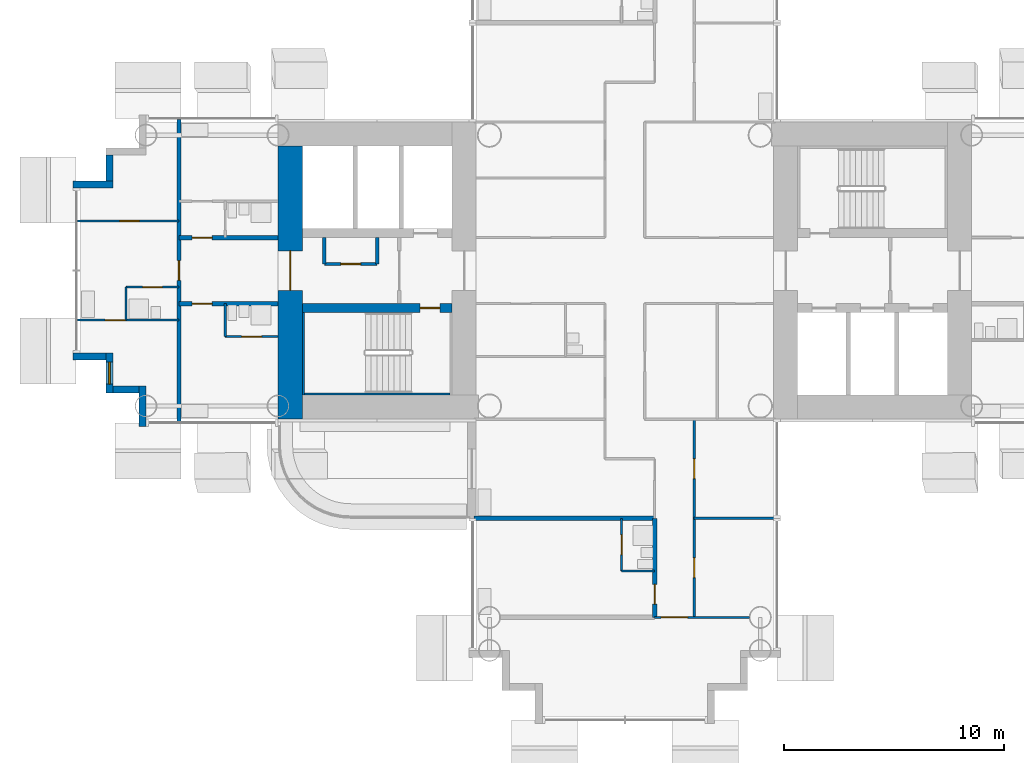
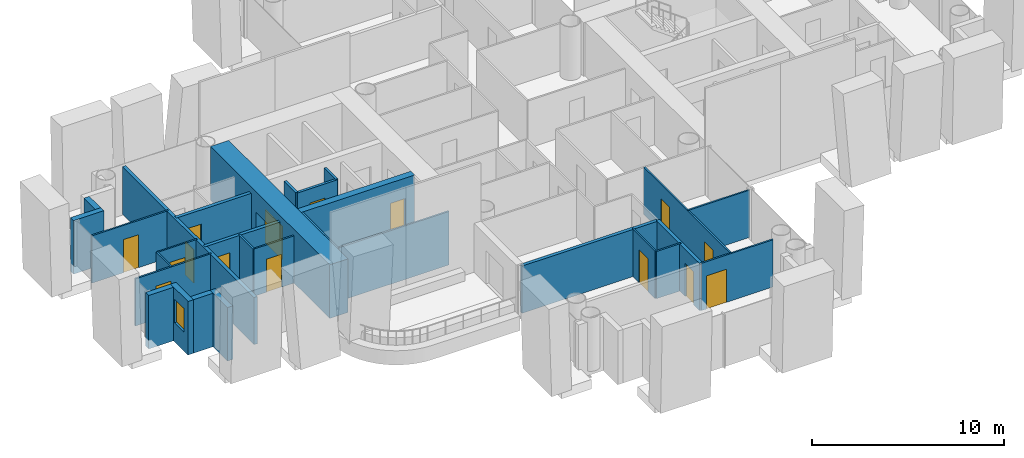
# One storey, part 10 of 25: 29 walls, 15 doors, 1 window, 16 openings.
"""IFC4 building model written with IfcOpenShell, lengths in metres."""

import ifcopenshell
import ifcopenshell.guid

model = None  # the IFC model being written
_history = None  # IfcOwnerHistory: only IFC2X3 demands one
_inside = {}  # id of a spatial element -> (the spatial element, [elements in it])
_under = {}  # id of a project, library or spatial element -> (it, [spatial elements below it])
_declared = {}  # id of a project -> (the project, [libraries it declares])
_typed = {}  # id of a type object -> (the type object, [elements of that type])
_made_of = {}  # id of a material, layer set ... -> (it, [elements and type objects made of it])


def new_model(schema):
    """Start an empty IFC model of exactly this schema.

    Asked for "IFC4X3", IfcOpenShell would pick the latest addendum, in which some entities
    have other attributes; the version numbers below select the first issue.
    IFC2X3 requires an IfcOwnerHistory on every rooted entity: one is made here for all.
    """
    global model, _history
    if schema == "IFC4X3":
        model = ifcopenshell.file(schema_version=(4, 3, 0, 0))
    else:
        model = ifcopenshell.file(schema=schema)
    _inside.clear()
    _under.clear()
    _declared.clear()
    _typed.clear()
    _made_of.clear()
    _history = None
    if model.schema == "IFC2X3":
        org = make("IfcOrganization", Name="unknown")
        user = make(
            "IfcPersonAndOrganization",
            ThePerson=make("IfcPerson", FamilyName="unknown"),
            TheOrganization=org,
        )
        app = make(
            "IfcApplication",
            ApplicationDeveloper=org,
            Version="unknown",
            ApplicationFullName="unknown",
            ApplicationIdentifier="unknown",
        )
        _history = make(
            "IfcOwnerHistory",
            OwningUser=user,
            OwningApplication=app,
            ChangeAction="ADDED",
            CreationDate=0,
        )
    return model


def make(cls, **values):
    """One entity of the class cls with the attributes given. An attribute that is None is left unset."""
    return model.create_entity(
        cls, **{name: value for name, value in values.items() if value is not None}
    )


def rooted(cls, **values):
    """An entity with a GlobalId (a new one), such as an element, a storey or a relation."""
    return make(cls, GlobalId=ifcopenshell.guid.new(), OwnerHistory=_history, **values)


def si_unit(unit_type, name, prefix=None):
    """IfcSIUnit, for example si_unit("LENGTHUNIT", "METRE", prefix="MILLI")."""
    return make("IfcSIUnit", UnitType=unit_type, Prefix=prefix, Name=name)


def assignment(units):
    """IfcUnitAssignment: the units of a project."""
    return None if units is None else make("IfcUnitAssignment", Units=units)


def point(xyz):
    """IfcCartesianPoint."""
    return None if xyz is None else make("IfcCartesianPoint", Coordinates=xyz)


def direction(xyz):
    """IfcDirection."""
    return None if xyz is None else make("IfcDirection", DirectionRatios=xyz)


def frame(location, z_axis=None, x_axis=None):
    """IfcAxis2Placement3D, a coordinate frame: its origin and axes. An axis left out is left unset."""
    return make(
        "IfcAxis2Placement3D",
        Location=point(location),
        Axis=direction(z_axis),
        RefDirection=direction(x_axis),
    )


def frame_2d(location, x_axis=None):
    """IfcAxis2Placement2D, a coordinate frame in the plane: its origin and x axis."""
    return make(
        "IfcAxis2Placement2D", Location=point(location), RefDirection=direction(x_axis)
    )


def origin():
    """The frame at (0, 0, 0) with its axes left unset."""
    return frame((0.0, 0.0, 0.0))


def place(relative_to, where):
    """IfcLocalPlacement: puts the frame where relative to a parent placement (None: the world)."""
    return make(
        "IfcLocalPlacement", PlacementRelTo=relative_to, RelativePlacement=where
    )


def context(
    kind, dimensions, precision=None, world=None, true_north=None, identifier=None
):
    """IfcGeometricRepresentationContext, for example the 3D "Model" context."""
    return make(
        "IfcGeometricRepresentationContext",
        ContextIdentifier=identifier,
        ContextType=kind,
        CoordinateSpaceDimension=dimensions,
        Precision=precision,
        WorldCoordinateSystem=world,
        TrueNorth=true_north,
    )


def subcontext(parent, identifier, kind, view, scale=None):
    """IfcGeometricRepresentationSubContext, for example "Body" below "Model"."""
    return make(
        "IfcGeometricRepresentationSubContext",
        ContextIdentifier=identifier,
        ContextType=kind,
        ParentContext=parent,
        TargetScale=scale,
        TargetView=view,
    )


def project(units=None, contexts=None):
    """IfcProject with its units and contexts."""
    return rooted(
        "IfcProject",
        Name="project",
        RepresentationContexts=contexts,
        UnitsInContext=assignment(units),
    )


def spatial(cls, under=None, at=None, **own):
    """A site, building, storey or space (cls), placed at a placement, below another one or the project."""
    s = rooted(cls, ObjectPlacement=at, **own)
    if under is not None:
        _under.setdefault(under.id(), (under, []))[1].append(s)
    return s


def profile(cls, at=None, kind="AREA", **sizes):
    """A parametric profile (cls). Its sizes go by their IFC names, for example OverallWidth=200.0."""
    return make(cls, ProfileType=kind, Position=at, **sizes)


def rectangle(**sizes):
    """IfcRectangleProfileDef."""
    return profile("IfcRectangleProfileDef", **sizes)


def extrude(swept, where, along, depth):
    """IfcExtrudedAreaSolid: the profile swept, set in the frame where, extruded along a direction by depth."""
    return make(
        "IfcExtrudedAreaSolid",
        SweptArea=swept,
        Position=where,
        ExtrudedDirection=direction(along),
        Depth=depth,
    )


def shape(context_of_items, identifier, shape_type, items):
    """IfcShapeRepresentation: the items that make up one representation, for example the "Body"."""
    return make(
        "IfcShapeRepresentation",
        ContextOfItems=context_of_items,
        RepresentationIdentifier=identifier,
        RepresentationType=shape_type,
        Items=items,
    )


def material(Name=None, Category=None):
    """IfcMaterial."""
    return make("IfcMaterial", Name=Name, Category=Category)


def layer(
    of_material, thickness, ventilated=None, Name=None, Category=None, Priority=None
):
    """IfcMaterialLayer: one layer of a wall or slab, of a material (None: an air gap)."""
    return make(
        "IfcMaterialLayer",
        Material=of_material,
        LayerThickness=thickness,
        IsVentilated=ventilated,
        Name=Name,
        Category=Category,
        Priority=Priority,
    )


def layer_set(layers, Name=None):
    """IfcMaterialLayerSet."""
    return make("IfcMaterialLayerSet", MaterialLayers=layers, LayerSetName=Name)


def made_of(thing, what):
    """Note that an element or type object is made of a material, layer set ...; save() writes the relation."""
    if what is not None:
        _made_of.setdefault(what.id(), (what, []))[1].append(thing)
    return thing


def type_object(cls, material=None, **own):
    """A type object (cls), such as IfcWallType, which elements share."""
    return made_of(rooted(cls, **own), material)


def element(
    cls,
    number,
    at=None,
    inside=None,
    cuts=None,
    type_object=None,
    material=None,
    context=None,
    identifier="Body",
    shape_type=None,
    held_by="IfcProductDefinitionShape",
    body=None,
    shapes=None,
    **own,
):
    """One element of the class cls, such as IfcWall. Its Tag is "e" and its number.

    at: its placement. inside: the storey or other place that contains it. cuts: it is an
    opening in that element (IfcRelVoidsElement). A single representation is given by context,
    identifier, shape_type and body (its items); several are given by shapes. held_by: the class
    of the entity that holds the representations. save() writes the other relations.
    """
    e = rooted(cls, Tag="e%d" % number, ObjectPlacement=at, **own)
    if body is not None:
        shapes = [shape(context, identifier, shape_type, body)]
    if shapes is not None:
        e.Representation = make(held_by, Representations=shapes)
    if inside is not None:
        _inside.setdefault(inside.id(), (inside, []))[1].append(e)
    if cuts is not None:
        rooted(
            "IfcRelVoidsElement", RelatingBuildingElement=cuts, RelatedOpeningElement=e
        )
    if type_object is not None:
        _typed.setdefault(type_object.id(), (type_object, []))[1].append(e)
    return made_of(e, material)


def fill(opening, filler):
    """IfcRelFillsElement: the door or window that sits in an opening."""
    return rooted(
        "IfcRelFillsElement",
        RelatingOpeningElement=opening,
        RelatedBuildingElement=filler,
    )


def aggregate(whole, parts):
    """IfcRelAggregates: a whole, such as a stair, and the parts it consists of."""
    return rooted("IfcRelAggregates", RelatingObject=whole, RelatedObjects=parts)


def save(model, path):
    """Write the relations noted so far, then the file.

    IfcRelAggregates (storeys below a building ...), IfcRelContainedInSpatialStructure (elements
    in a storey), IfcRelDefinesByType, IfcRelAssociatesMaterial and IfcRelDeclares: one each for
    every whole, place, type object, material and project.
    """
    for whole, parts in _under.values():
        aggregate(whole, parts)
    for where, things in _inside.values():
        rooted(
            "IfcRelContainedInSpatialStructure",
            RelatedElements=things,
            RelatingStructure=where,
        )
    for kind, things in _typed.values():
        rooted("IfcRelDefinesByType", RelatedObjects=things, RelatingType=kind)
    for what, things in _made_of.values():
        rooted("IfcRelAssociatesMaterial", RelatedObjects=things, RelatingMaterial=what)
    for by, libraries in _declared.values():
        rooted("IfcRelDeclares", RelatingContext=by, RelatedDefinitions=libraries)
    model.write(path)


model = new_model("IFC4")

# Units and contexts
model_context = context("Model", 3, precision=1e-05, world=origin(), true_north=direction((0.0, 1.0)))
body_context = subcontext(model_context, "Body", "Model", "MODEL_VIEW")
ifc_project = project(units=[si_unit("LENGTHUNIT", "METRE"), si_unit("AREAUNIT", "SQUARE_METRE"), si_unit("VOLUMEUNIT", "CUBIC_METRE"), si_unit("PLANEANGLEUNIT", "RADIAN"), si_unit("MASSUNIT", "GRAM", prefix="KILO")], contexts=[model_context])

# Site, building, storey
site_placement = place(None, origin())
site = spatial("IfcSite", under=ifc_project, at=site_placement, CompositionType="ELEMENT")
building_placement = place(site_placement, origin())
building = spatial("IfcBuilding", under=site, at=building_placement, Name="Ipe Terrace Towers", CompositionType="ELEMENT")
storey_placement = place(building_placement, frame((0.0, 0.0, 65.300048828125)))
storey = spatial("IfcBuildingStorey", under=building, at=storey_placement, Name="L17", CompositionType="ELEMENT", Elevation=65.300048828125)

# Wall
ifc_material_1 = material(Name="Concrete C40/50 with buff precast cladding", Category="concrete")
ifc_layer_1 = layer(ifc_material_1, 0.320068359375)
ifc_layer_set_1 = layer_set([ifc_layer_1], Name="BUFF CLADDING WALL 320")
wall_type_1 = type_object("IfcWallType", Name="BUFF CLADDING WALL 320", PredefinedType="STANDARD", material=ifc_layer_set_1)
wall_1_placement = place(storey_placement, frame((-61.070068359375, -3.909912109375, -0.300048828125), z_axis=(0.0, 0.0, 1.0), x_axis=(1.0, 0.0, 0.0)))
element("IfcWall", 1, at=wall_1_placement, inside=storey, type_object=wall_type_1, Name="T1-W-L17-00a wall", PredefinedType="STANDARD", context=body_context, shape_type="SweptSolid", body=[
    extrude(rectangle(XDim=1.5, YDim=0.320068359375, at=frame_2d((0.75, 0.0))), origin(), (0.0, 0.0, 1.0), 3.39990234375),
])

# Wall, opening, window
wall_2_placement = place(storey_placement, frame((-59.409912109375, -3.75, -0.300048828125), z_axis=(0.0, 0.0, 1.0), x_axis=(0.0, -1.0, 0.0)))
wall_2 = element("IfcWall", 2, at=wall_2_placement, inside=storey, type_object=wall_type_1, Name="T1-W-L17-01a wall", PredefinedType="STANDARD", context=body_context, shape_type="SweptSolid", body=[
    extrude(rectangle(XDim=1.820068359375, YDim=0.320068359375, at=frame_2d((0.91015625, 0.0))), origin(), (0.0, 0.0, 1.0), 3.39990234375),
])
opening_1_placement = place(wall_2_placement, frame((0.409912109375, 0.0, 1.199951171875)))
opening_1 = element("IfcOpeningElement", 3, at=opening_1_placement, cuts=wall_2, Name="Opening T1-W-05-L17-01", PredefinedType="OPENING", context=body_context, shape_type="SweptSolid", body=[
    extrude(rectangle(XDim=1.0, YDim=1.5, at=frame_2d((0.5, 0.75))), frame((0.0, 0.169921875, 0.0), z_axis=(0.0, -1.0, 0.0), x_axis=(1.0, 0.0, 0.0)), (0.0, 0.0, 1.0), 0.340087890625),
])
ifc_material_2 = material(Name="Glass, clear laminated", Category="glass")
window_type = type_object("IfcWindowType", Name="DWELLING WINDOW 1000 x 1500", PartitioningType="SINGLE_PANEL", PredefinedType="WINDOW", material=ifc_material_2)
window_placement = place(opening_1_placement, origin())
window = element("IfcWindow", 4, at=window_placement, inside=storey, type_object=window_type, Name="W-05 window", OverallHeight=1.5, OverallWidth=1.0, PartitioningType="SINGLE_PANEL", PredefinedType="WINDOW", context=body_context, shape_type="SweptSolid", body=[
    extrude(rectangle(XDim=1.0, YDim=1.5, at=frame_2d((0.5, 0.75))), frame((0.0, 0.030029296875, 0.0), z_axis=(0.0, -1.0, 0.0), x_axis=(1.0, 0.0, 0.0)), (0.0, 0.0, 1.0), 0.06005859375),
])
fill(opening_1, window)

# Walls
wall_3_placement = place(storey_placement, frame((-59.25, -5.409912109375, -0.300048828125), z_axis=(0.0, 0.0, 1.0), x_axis=(1.0, 0.0, 0.0)))
element("IfcWall", 5, at=wall_3_placement, inside=storey, type_object=wall_type_1, Name="T1-W-L17-02a wall", PredefinedType="STANDARD", context=body_context, shape_type="SweptSolid", body=[
    extrude(rectangle(XDim=1.179931640625, YDim=0.320068359375, at=frame_2d((0.58984375, 0.0))), origin(), (0.0, 0.0, 1.0), 3.39990234375),
])
wall_4_placement = place(storey_placement, frame((-57.909912109375, -5.25, -0.300048828125), z_axis=(0.0, 0.0, 1.0), x_axis=(0.0, -1.0, 0.0)))
element("IfcWall", 6, at=wall_4_placement, inside=storey, type_object=wall_type_1, Name="T1-W-L17-03a wall", PredefinedType="STANDARD", context=body_context, shape_type="SweptSolid", body=[
    extrude(rectangle(XDim=1.820068359375, YDim=0.320068359375, at=frame_2d((0.91015625, 0.0))), origin(), (0.0, 0.0, 1.0), 3.39990234375),
])
wall_5_placement = place(storey_placement, frame((-59.409912109375, 5.25, -0.300048828125), z_axis=(0.0, 0.0, 1.0), x_axis=(0.0, -1.0, 0.0)))
element("IfcWall", 7, at=wall_5_placement, inside=storey, type_object=wall_type_1, Name="T1-W-L17-49a wall", PredefinedType="STANDARD", context=body_context, shape_type="SweptSolid", body=[
    extrude(rectangle(XDim=1.179931640625, YDim=0.320068359375, at=frame_2d((0.58984375, 0.0))), origin(), (0.0, 0.0, 1.0), 3.39990234375),
])
wall_6_placement = place(storey_placement, frame((-59.25, 3.909912109375, -0.300048828125), z_axis=(0.0, 0.0, 1.0), x_axis=(-1.0, 0.0, 0.0)))
element("IfcWall", 8, at=wall_6_placement, inside=storey, type_object=wall_type_1, Name="T1-W-L17-50a wall", PredefinedType="STANDARD", context=body_context, shape_type="SweptSolid", body=[
    extrude(rectangle(XDim=1.820068359375, YDim=0.320068359375, at=frame_2d((0.91015625, 0.0))), origin(), (0.0, 0.0, 1.0), 3.39990234375),
])
ifc_material_3 = material(Name="Gypsum board partition", Category="plasterboard")
ifc_layer_2 = layer(ifc_material_3, 0.10009765625)
ifc_layer_set_2 = layer_set([ifc_layer_2], Name="Gypsum board partition 100 mm")
wall_type_2 = type_object("IfcWallType", Name="Gypsum board partition 100 mm", PredefinedType="PARTITIONING", material=ifc_layer_set_2)
for number, where, z_axis, x_axis, name in (
    (9, (-58.64990234375, -2.25, 0.0), (0.0, 0.0, 1.0), (0.0, 1.0, 0.0), "Gypsum board partition T1 L17 W01"),
    (10, (-54.14990234375, -3.0, 0.0), (0.0, 0.0, 1.0), (0.0, 1.0, 0.0), "Gypsum board partition T1 L17 W03"),
):
    element("IfcWall", number, at=place(storey_placement, frame(where, z_axis=z_axis, x_axis=x_axis)), inside=storey, type_object=wall_type_2, Name=name, PredefinedType="PARTITIONING", context=body_context, shape_type="SweptSolid", body=[
        extrude(rectangle(XDim=1.5, YDim=0.10009765625, at=frame_2d((0.75, 0.0))), origin(), (0.0, 0.0, 1.0), 3.0),
    ])

# Wall, opening, door
wall_7_placement = place(storey_placement, frame((-36.14990234375, -13.64990234375, 0.0), z_axis=(0.0, 0.0, 1.0), x_axis=(0.0, 1.0, 0.0)))
wall_7 = element("IfcWall", 11, at=wall_7_placement, inside=storey, type_object=wall_type_2, Name="Gypsum board partition T1 L17 W08", PredefinedType="PARTITIONING", context=body_context, shape_type="SweptSolid", body=[
    extrude(rectangle(XDim=2.39990234375, YDim=0.10009765625, at=frame_2d((1.199951171875, 0.0))), origin(), (0.0, 0.0, 1.0), 3.0),
])
opening_2_placement = place(wall_7_placement, frame((0.75, 0.0, 0.0)))
opening_2 = element("IfcOpeningElement", 12, at=opening_2_placement, cuts=wall_7, Name="Opening T1-Z1E-19", PredefinedType="OPENING", context=body_context, shape_type="SweptSolid", body=[
    extrude(rectangle(XDim=0.89990234375, YDim=2.10009765625, at=frame_2d((0.449951171875, 1.050048828125))), frame((0.0, 0.06005859375, 0.0), z_axis=(0.0, -1.0, 0.0), x_axis=(1.0, 0.0, 0.0)), (0.0, 0.0, 1.0), 0.1201171875),
])
ifc_material_4 = material(Name="Timber door leaf", Category="wood")
door_type_1 = type_object("IfcDoorType", Name="Bathroom door 900 x 2100", OperationType="NOTDEFINED", PredefinedType="DOOR", material=ifc_material_4)
door_1_placement = place(opening_2_placement, origin())
door_1 = element("IfcDoor", 13, at=door_1_placement, inside=storey, type_object=door_type_1, Name="Bathroom door T1-Z1E-19", OperationType="SINGLE_SWING_RIGHT", OverallHeight=2.10009765625, OverallWidth=0.89990234375, PredefinedType="DOOR", context=body_context, shape_type="SweptSolid", body=[
    extrude(rectangle(XDim=0.89990234375, YDim=2.10009765625, at=frame_2d((0.449951171875, 1.050048828125))), frame((0.0, 0.02490234375, 0.0), z_axis=(0.0, -1.0, 0.0), x_axis=(1.0, 0.0, 0.0)), (0.0, 0.0, 1.0), 0.050048828125),
])
fill(opening_2, door_1)

# Wall, openings, doors
wall_8_placement = place(storey_placement, frame((-32.85009765625, -15.75, 0.0), z_axis=(0.0, 0.0, 1.0), x_axis=(0.0, 1.0, 0.0)))
wall_8 = element("IfcWall", 14, at=wall_8_placement, inside=storey, type_object=wall_type_2, Name="Gypsum board partition T1 L17 W16", PredefinedType="PARTITIONING", context=body_context, shape_type="SweptSolid", body=[
    extrude(rectangle(XDim=9.0, YDim=0.10009765625, at=frame_2d((4.5, 0.0))), origin(), (0.0, 0.0, 1.0), 3.0),
])
opening_3_placement = place(wall_8_placement, frame((6.300048828125, 0.0, 0.0)))
opening_3 = element("IfcOpeningElement", 15, at=opening_3_placement, cuts=wall_8, Name="Opening T1-Z1E-15", PredefinedType="OPENING", context=body_context, shape_type="SweptSolid", body=[
    extrude(rectangle(XDim=0.89990234375, YDim=2.10009765625, at=frame_2d((0.449951171875, 1.050048828125))), frame((0.0, 0.06005859375, 0.0), z_axis=(0.0, -1.0, 0.0), x_axis=(1.0, 0.0, 0.0)), (0.0, 0.0, 1.0), 0.1201171875),
])
opening_4_placement = place(wall_8_placement, frame((1.800048828125, 0.0, 0.0)))
opening_4 = element("IfcOpeningElement", 16, at=opening_4_placement, cuts=wall_8, Name="Opening T1-Z1E-16", PredefinedType="OPENING", context=body_context, shape_type="SweptSolid", body=[
    extrude(rectangle(XDim=0.89990234375, YDim=2.10009765625, at=frame_2d((0.449951171875, 1.050048828125))), frame((0.0, 0.06005859375, 0.0), z_axis=(0.0, -1.0, 0.0), x_axis=(1.0, 0.0, 0.0)), (0.0, 0.0, 1.0), 0.1201171875),
])
ifc_material_5 = material(Name="Timber door leaf", Category="wood")
door_type_2 = type_object("IfcDoorType", Name="Lounge door 900 x 2100", OperationType="NOTDEFINED", PredefinedType="DOOR", material=ifc_material_5)
door_2_placement = place(opening_3_placement, origin())
door_2 = element("IfcDoor", 17, at=door_2_placement, inside=storey, type_object=door_type_2, Name="Lounge door T1-Z1E-15", OperationType="SINGLE_SWING_RIGHT", OverallHeight=2.10009765625, OverallWidth=0.89990234375, PredefinedType="DOOR", context=body_context, shape_type="SweptSolid", body=[
    extrude(rectangle(XDim=0.89990234375, YDim=2.10009765625, at=frame_2d((0.449951171875, 1.050048828125))), frame((0.0, 0.02490234375, 0.0), z_axis=(0.0, -1.0, 0.0), x_axis=(1.0, 0.0, 0.0)), (0.0, 0.0, 1.0), 0.050048828125),
])
fill(opening_3, door_2)
door_3_placement = place(opening_4_placement, origin())
door_3 = element("IfcDoor", 18, at=door_3_placement, inside=storey, type_object=door_type_2, Name="Lounge door T1-Z1E-16", OperationType="SINGLE_SWING_LEFT", OverallHeight=2.10009765625, OverallWidth=0.89990234375, PredefinedType="DOOR", context=body_context, shape_type="SweptSolid", body=[
    extrude(rectangle(XDim=0.89990234375, YDim=2.10009765625, at=frame_2d((0.449951171875, 1.050048828125))), frame((0.0, 0.02490234375, 0.0), z_axis=(0.0, -1.0, 0.0), x_axis=(1.0, 0.0, 0.0)), (0.0, 0.0, 1.0), 0.050048828125),
])
fill(opening_4, door_3)

# Wall, opening, door
wall_9_placement = place(storey_placement, frame((-34.64990234375, -15.75, 0.0), z_axis=(0.0, 0.0, 1.0), x_axis=(1.0, 0.0, 0.0)))
wall_9 = element("IfcWall", 19, at=wall_9_placement, inside=storey, type_object=wall_type_2, Name="Gypsum board partition T1 L17 W22", PredefinedType="PARTITIONING", context=body_context, shape_type="SweptSolid", body=[
    extrude(rectangle(XDim=4.2998046875, YDim=0.10009765625, at=frame_2d((2.14990234375, 0.0))), origin(), (0.0, 0.0, 1.0), 3.0),
])
opening_5_placement = place(wall_9_placement, frame((0.300048828125, 0.0, 0.0)))
opening_5 = element("IfcOpeningElement", 20, at=opening_5_placement, cuts=wall_9, Name="Opening T1-Z1E-20", PredefinedType="OPENING", context=body_context, shape_type="SweptSolid", body=[
    extrude(rectangle(XDim=1.199951171875, YDim=2.10009765625, at=frame_2d((0.60009765625, 1.050048828125))), frame((0.0, 0.06005859375, 0.0), z_axis=(0.0, -1.0, 0.0), x_axis=(1.0, 0.0, 0.0)), (0.0, 0.0, 1.0), 0.1201171875),
])
ifc_material_6 = material(Name="Timber door leaf", Category="wood")
door_type_3 = type_object("IfcDoorType", Name="Lounge door 1200 x 2100", OperationType="NOTDEFINED", PredefinedType="DOOR", material=ifc_material_6)
door_4_placement = place(opening_5_placement, origin())
door_4 = element("IfcDoor", 21, at=door_4_placement, inside=storey, type_object=door_type_3, Name="Lounge door T1-Z1E-20", OperationType="SINGLE_SWING_LEFT", OverallHeight=2.10009765625, OverallWidth=1.199951171875, PredefinedType="DOOR", context=body_context, shape_type="SweptSolid", body=[
    extrude(rectangle(XDim=1.199951171875, YDim=2.10009765625, at=frame_2d((0.60009765625, 1.050048828125))), frame((0.0, 0.02490234375, 0.0), z_axis=(0.0, -1.0, 0.0), x_axis=(1.0, 0.0, 0.0)), (0.0, 0.0, 1.0), 0.050048828125),
])
fill(opening_5, door_4)

# Walls
wall_10_placement = place(storey_placement, frame((-36.14990234375, -13.64990234375, 0.0), z_axis=(0.0, 0.0, 1.0), x_axis=(1.0, 0.0, 0.0)))
element("IfcWall", 22, at=wall_10_placement, inside=storey, type_object=wall_type_2, Name="Gypsum board partition T1 L17 W24", PredefinedType="PARTITIONING", context=body_context, shape_type="SweptSolid", body=[
    extrude(rectangle(XDim=1.5, YDim=0.10009765625, at=frame_2d((0.75, 0.0))), origin(), (0.0, 0.0, 1.0), 3.0),
])
wall_11_placement = place(storey_placement, frame((-32.85009765625, -11.25, 0.0), z_axis=(0.0, 0.0, 1.0), x_axis=(1.0, 0.0, 0.0)))
element("IfcWall", 23, at=wall_11_placement, inside=storey, type_object=wall_type_2, Name="Gypsum board partition T1 L17 W25", PredefinedType="PARTITIONING", context=body_context, shape_type="SweptSolid", body=[
    extrude(rectangle(XDim=3.7001953125, YDim=0.10009765625, at=frame_2d((1.85009765625, 0.0))), origin(), (0.0, 0.0, 1.0), 3.0),
])

# Wall, opening, door
wall_12_placement = place(storey_placement, frame((-54.14990234375, -3.0, 0.0), z_axis=(0.0, 0.0, 1.0), x_axis=(1.0, 0.0, 0.0)))
wall_12 = element("IfcWall", 24, at=wall_12_placement, inside=storey, type_object=wall_type_2, Name="Gypsum board partition T1 L17 W32", PredefinedType="PARTITIONING", context=body_context, shape_type="SweptSolid", body=[
    extrude(rectangle(XDim=2.39990234375, YDim=0.10009765625, at=frame_2d((1.199951171875, 0.0))), origin(), (0.0, 0.0, 1.0), 3.0),
])
opening_6_placement = place(wall_12_placement, frame((0.75, 0.0, 0.0)))
opening_6 = element("IfcOpeningElement", 25, at=opening_6_placement, cuts=wall_12, Name="Opening T1-Z1E-27", PredefinedType="OPENING", context=body_context, shape_type="SweptSolid", body=[
    extrude(rectangle(XDim=0.89990234375, YDim=2.10009765625, at=frame_2d((0.449951171875, 1.050048828125))), frame((0.0, 0.06005859375, 0.0), z_axis=(0.0, -1.0, 0.0), x_axis=(1.0, 0.0, 0.0)), (0.0, 0.0, 1.0), 0.1201171875),
])
door_5_placement = place(opening_6_placement, origin())
door_5 = element("IfcDoor", 26, at=door_5_placement, inside=storey, type_object=door_type_1, Name="Bathroom door T1-Z1E-27", OperationType="SINGLE_SWING_LEFT", OverallHeight=2.10009765625, OverallWidth=0.89990234375, PredefinedType="DOOR", context=body_context, shape_type="SweptSolid", body=[
    extrude(rectangle(XDim=0.89990234375, YDim=2.10009765625, at=frame_2d((0.449951171875, 1.050048828125))), frame((0.0, 0.02490234375, 0.0), z_axis=(0.0, -1.0, 0.0), x_axis=(1.0, 0.0, 0.0)), (0.0, 0.0, 1.0), 0.050048828125),
])
fill(opening_6, door_5)

wall_13_placement = place(storey_placement, frame((-60.85009765625, -2.25, 0.0), z_axis=(0.0, 0.0, 1.0), x_axis=(1.0, 0.0, 0.0)))
wall_13 = element("IfcWall", 27, at=wall_13_placement, inside=storey, type_object=wall_type_2, Name="Gypsum board partition T1 L17 W33", PredefinedType="PARTITIONING", context=body_context, shape_type="SweptSolid", body=[
    extrude(rectangle(XDim=4.60009765625, YDim=0.10009765625, at=frame_2d((2.300048828125, 0.0))), origin(), (0.0, 0.0, 1.0), 3.0),
])
opening_7_placement = place(wall_13_placement, frame((1.25, 0.0, 0.0)))
opening_7 = element("IfcOpeningElement", 28, at=opening_7_placement, cuts=wall_13, Name="Opening T1-Z1E-33", PredefinedType="OPENING", context=body_context, shape_type="SweptSolid", body=[
    extrude(rectangle(XDim=0.89990234375, YDim=2.10009765625, at=frame_2d((0.449951171875, 1.050048828125))), frame((0.0, 0.06005859375, 0.0), z_axis=(0.0, -1.0, 0.0), x_axis=(1.0, 0.0, 0.0)), (0.0, 0.0, 1.0), 0.1201171875),
])
ifc_material_7 = material(Name="Timber door leaf", Category="wood")
door_type_4 = type_object("IfcDoorType", Name="Bedroom door 900 x 2100", OperationType="NOTDEFINED", PredefinedType="DOOR", material=ifc_material_7)
door_6_placement = place(opening_7_placement, origin())
door_6 = element("IfcDoor", 29, at=door_6_placement, inside=storey, type_object=door_type_4, Name="Bedroom door T1-Z1E-33", OperationType="SINGLE_SWING_LEFT", OverallHeight=2.10009765625, OverallWidth=0.89990234375, PredefinedType="DOOR", context=body_context, shape_type="SweptSolid", body=[
    extrude(rectangle(XDim=0.89990234375, YDim=2.10009765625, at=frame_2d((0.449951171875, 1.050048828125))), frame((0.0, 0.02490234375, 0.0), z_axis=(0.0, -1.0, 0.0), x_axis=(1.0, 0.0, 0.0)), (0.0, 0.0, 1.0), 0.050048828125),
])
fill(opening_7, door_6)

wall_14_placement = place(storey_placement, frame((-58.64990234375, -0.75, 0.0), z_axis=(0.0, 0.0, 1.0), x_axis=(1.0, 0.0, 0.0)))
wall_14 = element("IfcWall", 30, at=wall_14_placement, inside=storey, type_object=wall_type_2, Name="Gypsum board partition T1 L17 W38", PredefinedType="PARTITIONING", context=body_context, shape_type="SweptSolid", body=[
    extrude(rectangle(XDim=2.39990234375, YDim=0.10009765625, at=frame_2d((1.199951171875, 0.0))), origin(), (0.0, 0.0, 1.0), 3.0),
])
opening_8_placement = place(wall_14_placement, frame((0.75, 0.0, 0.0)))
opening_8 = element("IfcOpeningElement", 31, at=opening_8_placement, cuts=wall_14, Name="Opening T1-Z1E-31", PredefinedType="OPENING", context=body_context, shape_type="SweptSolid", body=[
    extrude(rectangle(XDim=0.89990234375, YDim=2.10009765625, at=frame_2d((0.449951171875, 1.050048828125))), frame((0.0, 0.06005859375, 0.0), z_axis=(0.0, -1.0, 0.0), x_axis=(1.0, 0.0, 0.0)), (0.0, 0.0, 1.0), 0.1201171875),
])
door_7_placement = place(opening_8_placement, origin())
door_7 = element("IfcDoor", 32, at=door_7_placement, inside=storey, type_object=door_type_1, Name="Bathroom door T1-Z1E-31", OperationType="SINGLE_SWING_RIGHT", OverallHeight=2.10009765625, OverallWidth=0.89990234375, PredefinedType="DOOR", context=body_context, shape_type="SweptSolid", body=[
    extrude(rectangle(XDim=0.89990234375, YDim=2.10009765625, at=frame_2d((0.449951171875, 1.050048828125))), frame((0.0, 0.02490234375, 0.0), z_axis=(0.0, -1.0, 0.0), x_axis=(1.0, 0.0, 0.0)), (0.0, 0.0, 1.0), 0.050048828125),
])
fill(opening_8, door_7)

wall_15_placement = place(storey_placement, frame((-60.85009765625, 2.25, 0.0), z_axis=(0.0, 0.0, 1.0), x_axis=(1.0, 0.0, 0.0)))
wall_15 = element("IfcWall", 33, at=wall_15_placement, inside=storey, type_object=wall_type_2, Name="Gypsum board partition T1 L17 W43", PredefinedType="PARTITIONING", context=body_context, shape_type="SweptSolid", body=[
    extrude(rectangle(XDim=4.60009765625, YDim=0.10009765625, at=frame_2d((2.300048828125, 0.0))), origin(), (0.0, 0.0, 1.0), 3.0),
])
opening_9_placement = place(wall_15_placement, frame((1.89990234375, 0.0, 0.0)))
opening_9 = element("IfcOpeningElement", 34, at=opening_9_placement, cuts=wall_15, Name="Opening T1-Z1E-34", PredefinedType="OPENING", context=body_context, shape_type="SweptSolid", body=[
    extrude(rectangle(XDim=0.89990234375, YDim=2.10009765625, at=frame_2d((0.449951171875, 1.050048828125))), frame((0.0, 0.06005859375, 0.0), z_axis=(0.0, -1.0, 0.0), x_axis=(1.0, 0.0, 0.0)), (0.0, 0.0, 1.0), 0.1201171875),
])
door_8_placement = place(opening_9_placement, origin())
door_8 = element("IfcDoor", 35, at=door_8_placement, inside=storey, type_object=door_type_2, Name="Lounge door T1-Z1E-34", OperationType="SINGLE_SWING_LEFT", OverallHeight=2.10009765625, OverallWidth=0.89990234375, PredefinedType="DOOR", context=body_context, shape_type="SweptSolid", body=[
    extrude(rectangle(XDim=0.89990234375, YDim=2.10009765625, at=frame_2d((0.449951171875, 1.050048828125))), frame((0.0, 0.02490234375, 0.0), z_axis=(0.0, -1.0, 0.0), x_axis=(1.0, 0.0, 0.0)), (0.0, 0.0, 1.0), 0.050048828125),
])
fill(opening_9, door_8)

ifc_material_8 = material(Name="Gypsum board partition", Category="plasterboard")
ifc_layer_3 = layer(ifc_material_8, 0.14990234375)
ifc_layer_set_3 = layer_set([ifc_layer_3], Name="Gypsum board partition 150 mm")
wall_type_3 = type_object("IfcWallType", Name="Gypsum board partition 150 mm", PredefinedType="PARTITIONING", material=ifc_layer_set_3)
wall_16_placement = place(storey_placement, frame((-47.25, 0.300048828125, 0.0), z_axis=(0.0, 0.0, 1.0), x_axis=(-1.0, 0.0, 0.0)))
wall_16 = element("IfcWall", 36, at=wall_16_placement, inside=storey, type_object=wall_type_3, Name="Gypsum board partition T1 L17 t1c2-cup-s-f", PredefinedType="PARTITIONING", context=body_context, shape_type="SweptSolid", body=[
    extrude(rectangle(XDim=2.39990234375, YDim=0.14990234375, at=frame_2d((1.199951171875, 0.0))), origin(), (0.0, 0.0, 1.0), 3.0),
])
opening_10_placement = place(wall_16_placement, frame((0.75, 0.0, 0.0)))
opening_10 = element("IfcOpeningElement", 37, at=opening_10_placement, cuts=wall_16, Name="Opening T1C2-SC", PredefinedType="OPENING", context=body_context, shape_type="SweptSolid", body=[
    extrude(rectangle(XDim=0.89990234375, YDim=2.10009765625, at=frame_2d((0.449951171875, 1.050048828125))), frame((0.0, 0.0849609375, 0.0), z_axis=(0.0, -1.0, 0.0), x_axis=(1.0, 0.0, 0.0)), (0.0, 0.0, 1.0), 0.169921875),
])
ifc_material_9 = material(Name="Fire-rated timber door leaf", Category="wood")
door_type_5 = type_object("IfcDoorType", Name="Service door 900 x 2100 FD30S", OperationType="NOTDEFINED", PredefinedType="DOOR", material=ifc_material_9)
door_9_placement = place(opening_10_placement, origin())
door_9 = element("IfcDoor", 38, at=door_9_placement, inside=storey, type_object=door_type_5, Name="Service door T1C2-SC", OperationType="SINGLE_SWING_LEFT", OverallHeight=2.10009765625, OverallWidth=0.89990234375, PredefinedType="DOOR", context=body_context, shape_type="SweptSolid", body=[
    extrude(rectangle(XDim=0.89990234375, YDim=2.10009765625, at=frame_2d((0.449951171875, 1.050048828125))), frame((0.0, 0.02490234375, 0.0), z_axis=(0.0, -1.0, 0.0), x_axis=(1.0, 0.0, 0.0)), (0.0, 0.0, 1.0), 0.050048828125),
])
fill(opening_10, door_9)

# Walls
for number, where, z_axis, x_axis, name in (
    (39, (-47.25, 0.300048828125, 0.0), (0.0, 0.0, 1.0), (0.0, 1.0, 0.0), "Gypsum board partition T1 L17 t1c2-cup-s-a"),
    (40, (-49.64990234375, 0.300048828125, 0.0), (0.0, 0.0, 1.0), (0.0, 1.0, 0.0), "Gypsum board partition T1 L17 t1c2-cup-s-b"),
):
    element("IfcWall", number, at=place(storey_placement, frame(where, z_axis=z_axis, x_axis=x_axis)), inside=storey, type_object=wall_type_3, Name=name, PredefinedType="PARTITIONING", context=body_context, shape_type="SweptSolid", body=[
        extrude(rectangle(XDim=1.199951171875, YDim=0.14990234375, at=frame_2d((0.60009765625, 0.0))), origin(), (0.0, 0.0, 1.0), 3.0),
    ])

# Wall, opening, door
ifc_material_10 = material(Name="Gypsum board party wall", Category="plasterboard")
ifc_layer_4 = layer(ifc_material_10, 0.199951171875)
ifc_layer_set_4 = layer_set([ifc_layer_4], Name="Gypsum board party wall 200 mm")
wall_type_4 = type_object("IfcWallType", Name="Gypsum board party wall 200 mm", PredefinedType="SOLIDWALL", material=ifc_layer_set_4)
wall_17_placement = place(storey_placement, frame((-56.25, -6.85009765625, 0.0), z_axis=(0.0, 0.0, 1.0), x_axis=(0.0, 1.0, 0.0)))
wall_17 = element("IfcWall", 41, at=wall_17_placement, inside=storey, type_object=wall_type_4, Name="Gypsum board party wall T1 L17 W02", PredefinedType="SOLIDWALL", context=body_context, shape_type="SweptSolid", body=[
    extrude(rectangle(XDim=13.7001953125, YDim=0.199951171875, at=frame_2d((6.85009765625, 0.0))), origin(), (0.0, 0.0, 1.0), 3.0),
])
opening_11_placement = place(wall_17_placement, frame((6.39990234375, 0.0, 0.0)))
opening_11 = element("IfcOpeningElement", 42, at=opening_11_placement, cuts=wall_17, Name="Opening T1-Z1E-32", PredefinedType="OPENING", context=body_context, shape_type="SweptSolid", body=[
    extrude(rectangle(XDim=0.89990234375, YDim=2.10009765625, at=frame_2d((0.449951171875, 1.050048828125))), frame((0.0, 0.10986328125, 0.0), z_axis=(0.0, -1.0, 0.0), x_axis=(1.0, 0.0, 0.0)), (0.0, 0.0, 1.0), 0.219970703125),
])
ifc_material_11 = material(Name="Fire-rated timber door leaf", Category="wood")
door_type_6 = type_object("IfcDoorType", Name="Flat entrance door 900 x 2100 FD30S", OperationType="NOTDEFINED", PredefinedType="DOOR", material=ifc_material_11)
door_10_placement = place(opening_11_placement, origin())
door_10 = element("IfcDoor", 43, at=door_10_placement, inside=storey, type_object=door_type_6, Name="Flat entrance door T1-Z1E-32", OperationType="SINGLE_SWING_LEFT", OverallHeight=2.10009765625, OverallWidth=0.89990234375, PredefinedType="DOOR", context=body_context, shape_type="SweptSolid", body=[
    extrude(rectangle(XDim=0.89990234375, YDim=2.10009765625, at=frame_2d((0.449951171875, 1.050048828125))), frame((0.0, 0.02490234375, 0.0), z_axis=(0.0, -1.0, 0.0), x_axis=(1.0, 0.0, 0.0)), (0.0, 0.0, 1.0), 0.050048828125),
])
fill(opening_11, door_10)

wall_18_placement = place(storey_placement, frame((-34.64990234375, -15.75, 0.0), z_axis=(0.0, 0.0, 1.0), x_axis=(0.0, 1.0, 0.0)))
wall_18 = element("IfcWall", 44, at=wall_18_placement, inside=storey, type_object=wall_type_4, Name="Gypsum board party wall T1 L17 W14", PredefinedType="SOLIDWALL", context=body_context, shape_type="SweptSolid", body=[
    extrude(rectangle(XDim=4.5, YDim=0.199951171875, at=frame_2d((2.25, 0.0))), origin(), (0.0, 0.0, 1.0), 3.0),
])
opening_12_placement = place(wall_18_placement, frame((0.60009765625, 0.0, 0.0)))
opening_12 = element("IfcOpeningElement", 45, at=opening_12_placement, cuts=wall_18, Name="Opening T1-Z1E-18", PredefinedType="OPENING", context=body_context, shape_type="SweptSolid", body=[
    extrude(rectangle(XDim=0.89990234375, YDim=2.10009765625, at=frame_2d((0.449951171875, 1.050048828125))), frame((0.0, 0.10986328125, 0.0), z_axis=(0.0, -1.0, 0.0), x_axis=(1.0, 0.0, 0.0)), (0.0, 0.0, 1.0), 0.219970703125),
])
door_11_placement = place(opening_12_placement, origin())
door_11 = element("IfcDoor", 46, at=door_11_placement, inside=storey, type_object=door_type_6, Name="Flat entrance door T1-Z1E-18", OperationType="SINGLE_SWING_RIGHT", OverallHeight=2.10009765625, OverallWidth=0.89990234375, PredefinedType="DOOR", context=body_context, shape_type="SweptSolid", body=[
    extrude(rectangle(XDim=0.89990234375, YDim=2.10009765625, at=frame_2d((0.449951171875, 1.050048828125))), frame((0.0, 0.02490234375, 0.0), z_axis=(0.0, -1.0, 0.0), x_axis=(1.0, 0.0, 0.0)), (0.0, 0.0, 1.0), 0.050048828125),
])
fill(opening_12, door_11)

# Wall
wall_19_placement = place(storey_placement, frame((-42.85009765625, -11.25, 0.0), z_axis=(0.0, 0.0, 1.0), x_axis=(1.0, 0.0, 0.0)))
element("IfcWall", 47, at=wall_19_placement, inside=storey, type_object=wall_type_4, Name="Gypsum board party wall T1 L17 W26", PredefinedType="SOLIDWALL", context=body_context, shape_type="SweptSolid", body=[
    extrude(rectangle(XDim=8.2001953125, YDim=0.199951171875, at=frame_2d((4.10009765625, 0.0))), origin(), (0.0, 0.0, 1.0), 3.0),
])

# Wall, opening, door
wall_20_placement = place(storey_placement, frame((-56.25, -1.5, 0.0), z_axis=(0.0, 0.0, 1.0), x_axis=(1.0, 0.0, 0.0)))
wall_20 = element("IfcWall", 48, at=wall_20_placement, inside=storey, type_object=wall_type_4, Name="Gypsum board party wall T1 L17 W36", PredefinedType="SOLIDWALL", context=body_context, shape_type="SweptSolid", body=[
    extrude(rectangle(XDim=4.5, YDim=0.199951171875, at=frame_2d((2.25, 0.0))), origin(), (0.0, 0.0, 1.0), 3.0),
])
opening_13_placement = place(wall_20_placement, frame((0.60009765625, 0.0, 0.0)))
opening_13 = element("IfcOpeningElement", 49, at=opening_13_placement, cuts=wall_20, Name="Opening T1-Z1E-26", PredefinedType="OPENING", context=body_context, shape_type="SweptSolid", body=[
    extrude(rectangle(XDim=0.89990234375, YDim=2.10009765625, at=frame_2d((0.449951171875, 1.050048828125))), frame((0.0, 0.10986328125, 0.0), z_axis=(0.0, -1.0, 0.0), x_axis=(1.0, 0.0, 0.0)), (0.0, 0.0, 1.0), 0.219970703125),
])
door_12_placement = place(opening_13_placement, origin())
door_12 = element("IfcDoor", 50, at=door_12_placement, inside=storey, type_object=door_type_6, Name="Flat entrance door T1-Z1E-26", OperationType="SINGLE_SWING_LEFT", OverallHeight=2.10009765625, OverallWidth=0.89990234375, PredefinedType="DOOR", context=body_context, shape_type="SweptSolid", body=[
    extrude(rectangle(XDim=0.89990234375, YDim=2.10009765625, at=frame_2d((0.449951171875, 1.050048828125))), frame((0.0, 0.02490234375, 0.0), z_axis=(0.0, -1.0, 0.0), x_axis=(1.0, 0.0, 0.0)), (0.0, 0.0, 1.0), 0.050048828125),
])
fill(opening_13, door_12)

wall_21_placement = place(storey_placement, frame((-56.25, 1.5, 0.0), z_axis=(0.0, 0.0, 1.0), x_axis=(1.0, 0.0, 0.0)))
wall_21 = element("IfcWall", 51, at=wall_21_placement, inside=storey, type_object=wall_type_4, Name="Gypsum board party wall T1 L17 W42", PredefinedType="SOLIDWALL", context=body_context, shape_type="SweptSolid", body=[
    extrude(rectangle(XDim=4.5, YDim=0.199951171875, at=frame_2d((2.25, 0.0))), origin(), (0.0, 0.0, 1.0), 3.0),
])
opening_14_placement = place(wall_21_placement, frame((0.60009765625, 0.0, 0.0)))
opening_14 = element("IfcOpeningElement", 52, at=opening_14_placement, cuts=wall_21, Name="Opening T1-Z1E-28", PredefinedType="OPENING", context=body_context, shape_type="SweptSolid", body=[
    extrude(rectangle(XDim=0.89990234375, YDim=2.10009765625, at=frame_2d((0.449951171875, 1.050048828125))), frame((0.0, 0.10986328125, 0.0), z_axis=(0.0, -1.0, 0.0), x_axis=(1.0, 0.0, 0.0)), (0.0, 0.0, 1.0), 0.219970703125),
])
door_13_placement = place(opening_14_placement, origin())
door_13 = element("IfcDoor", 53, at=door_13_placement, inside=storey, type_object=door_type_6, Name="Flat entrance door T1-Z1E-28", OperationType="SINGLE_SWING_RIGHT", OverallHeight=2.10009765625, OverallWidth=0.89990234375, PredefinedType="DOOR", context=body_context, shape_type="SweptSolid", body=[
    extrude(rectangle(XDim=0.89990234375, YDim=2.10009765625, at=frame_2d((0.449951171875, 1.050048828125))), frame((0.0, 0.02490234375, 0.0), z_axis=(0.0, -1.0, 0.0), x_axis=(1.0, 0.0, 0.0)), (0.0, 0.0, 1.0), 0.050048828125),
])
fill(opening_14, door_13)

# Walls
ifc_material_12 = material(Name="Concrete C60/75", Category="concrete")
ifc_layer_5 = layer(ifc_material_12, 0.10009765625)
ifc_layer_set_5 = layer_set([ifc_layer_5], Name="RW100 CORE INFILL WALL 100 C60-75")
wall_type_5 = type_object("IfcWallType", Name="RW100 CORE INFILL WALL 100 C60-75", PredefinedType="SHEAR", material=ifc_layer_set_5)
wall_22_placement = place(storey_placement, frame((-50.60009765625, -1.89990234375, 0.0), z_axis=(0.0, 0.0, 1.0), x_axis=(0.0, -1.0, 0.0)))
element("IfcWall", 54, at=wall_22_placement, inside=storey, type_object=wall_type_5, Name="Core infill wall T1-C2-far", PredefinedType="SHEAR", context=body_context, shape_type="SweptSolid", body=[
    extrude(rectangle(XDim=3.75, YDim=0.10009765625, at=frame_2d((1.875, 0.0))), origin(), (0.0, 0.0, 1.0), 3.39990234375),
])
wall_23_placement = place(storey_placement, frame((-43.949951171875, -5.60009765625, 0.0), z_axis=(0.0, 0.0, 1.0), x_axis=(-1.0, 0.0, 0.0)))
element("IfcWall", 55, at=wall_23_placement, inside=storey, type_object=wall_type_5, Name="Core infill wall T1-C2-back", PredefinedType="SHEAR", context=body_context, shape_type="SweptSolid", body=[
    extrude(rectangle(XDim=6.60009765625, YDim=0.10009765625, at=frame_2d((3.300048828125, 0.0))), origin(), (0.0, 0.0, 1.0), 3.39990234375),
])

# Wall, opening, door
ifc_material_13 = material(Name="Concrete C60/75", Category="concrete")
ifc_layer_6 = layer(ifc_material_13, 1.10009765625)
ifc_layer_set_6 = layer_set([ifc_layer_6], Name="RW1100 CORE WALL 1100 C60-75")
wall_type_6 = type_object("IfcWallType", Name="RW1100 CORE WALL 1100 C60-75", PredefinedType="SHEAR", material=ifc_layer_set_6)
wall_24_placement = place(storey_placement, frame((-51.199951171875, 5.64990234375, 0.0), z_axis=(0.0, 0.0, 1.0), x_axis=(0.0, -1.0, 0.0)))
wall_24 = element("IfcWall", 56, at=wall_24_placement, inside=storey, type_object=wall_type_6, Name="Core wall T1-C2-Z1-W04", PredefinedType="SHEAR", context=body_context, shape_type="SweptSolid", body=[
    extrude(rectangle(XDim=12.39990234375, YDim=1.10009765625, at=frame_2d((6.199951171875, 0.0))), origin(), (0.0, 0.0, 1.0), 3.39990234375),
])
opening_15_placement = place(wall_24_placement, frame((4.75, 0.0, 0.0)))
opening_15 = element("IfcOpeningElement", 57, at=opening_15_placement, cuts=wall_24, Name="Opening T1C2-FD", PredefinedType="OPENING", context=body_context, shape_type="SweptSolid", body=[
    extrude(rectangle(XDim=1.800048828125, YDim=2.10009765625, at=frame_2d((0.89990234375, 1.050048828125))), frame((0.0, 0.56005859375, 0.0), z_axis=(0.0, -1.0, 0.0), x_axis=(1.0, 0.0, 0.0)), (0.0, 0.0, 1.0), 1.1201171875),
])
ifc_material_14 = material(Name="Fire-rated timber door leaf", Category="wood")
door_type_7 = type_object("IfcDoorType", Name="Fire door 1800 x 2100 FD30S", OperationType="NOTDEFINED", PredefinedType="DOOR", material=ifc_material_14)
door_14_placement = place(opening_15_placement, origin())
door_14 = element("IfcDoor", 58, at=door_14_placement, inside=storey, type_object=door_type_7, Name="Fire door T1C2-FD", OperationType="SINGLE_SWING_LEFT", OverallHeight=2.10009765625, OverallWidth=1.800048828125, PredefinedType="DOOR", context=body_context, shape_type="SweptSolid", body=[
    extrude(rectangle(XDim=1.800048828125, YDim=2.10009765625, at=frame_2d((0.89990234375, 1.050048828125))), frame((0.0, 0.02490234375, 0.0), z_axis=(0.0, -1.0, 0.0), x_axis=(1.0, 0.0, 0.0)), (0.0, 0.0, 1.0), 0.050048828125),
])
fill(opening_15, door_14)

ifc_material_15 = material(Name="Concrete C60/75", Category="concrete")
ifc_layer_7 = layer(ifc_material_15, 0.39990234375)
ifc_layer_set_7 = layer_set([ifc_layer_7], Name="RW400 CORE SPINE WALL 400 C60-75")
wall_type_7 = type_object("IfcWallType", Name="RW400 CORE SPINE WALL 400 C60-75", PredefinedType="SHEAR", material=ifc_layer_set_7)
wall_25_placement = place(storey_placement, frame((-50.64990234375, -1.699951171875, 0.0), z_axis=(0.0, 0.0, 1.0), x_axis=(1.0, 0.0, 0.0)))
wall_25 = element("IfcWall", 59, at=wall_25_placement, inside=storey, type_object=wall_type_7, Name="Core spine wall T1-C2-Z1-SW1", PredefinedType="SHEAR", context=body_context, shape_type="SweptSolid", body=[
    extrude(rectangle(XDim=6.7998046875, YDim=0.39990234375, at=frame_2d((3.39990234375, 0.0))), origin(), (0.0, 0.0, 1.0), 3.39990234375),
])
opening_16_placement = place(wall_25_placement, frame((5.35009765625, 0.0, 0.0)))
opening_16 = element("IfcOpeningElement", 60, at=opening_16_placement, cuts=wall_25, Name="Opening T1C2-SD", PredefinedType="OPENING", context=body_context, shape_type="SweptSolid", body=[
    extrude(rectangle(XDim=0.89990234375, YDim=2.10009765625, at=frame_2d((0.449951171875, 1.050048828125))), frame((0.0, 0.2099609375, 0.0), z_axis=(0.0, -1.0, 0.0), x_axis=(1.0, 0.0, 0.0)), (0.0, 0.0, 1.0), 0.419921875),
])
ifc_material_16 = material(Name="Fire-rated timber door leaf", Category="wood")
door_type_8 = type_object("IfcDoorType", Name="Stair door 900 x 2100 FD60", OperationType="NOTDEFINED", PredefinedType="DOOR", material=ifc_material_16)
door_15_placement = place(opening_16_placement, origin())
door_15 = element("IfcDoor", 61, at=door_15_placement, inside=storey, type_object=door_type_8, Name="Stair door T1C2-SD", OperationType="SINGLE_SWING_RIGHT", OverallHeight=2.10009765625, OverallWidth=0.89990234375, PredefinedType="DOOR", context=body_context, shape_type="SweptSolid", body=[
    extrude(rectangle(XDim=0.89990234375, YDim=2.10009765625, at=frame_2d((0.449951171875, 1.050048828125))), frame((0.0, 0.02490234375, 0.0), z_axis=(0.0, -1.0, 0.0), x_axis=(1.0, 0.0, 0.0)), (0.0, 0.0, 1.0), 0.050048828125),
])
fill(opening_16, door_15)

save(model, "model.ifc")
